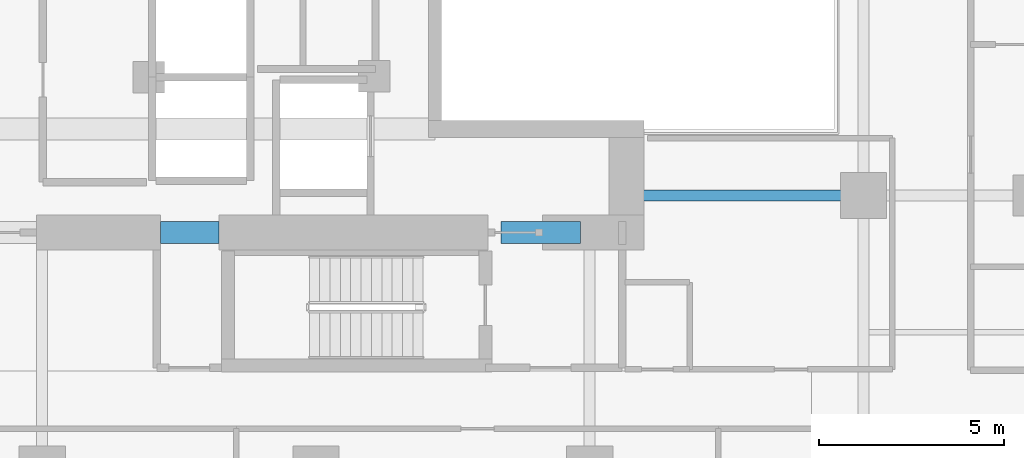
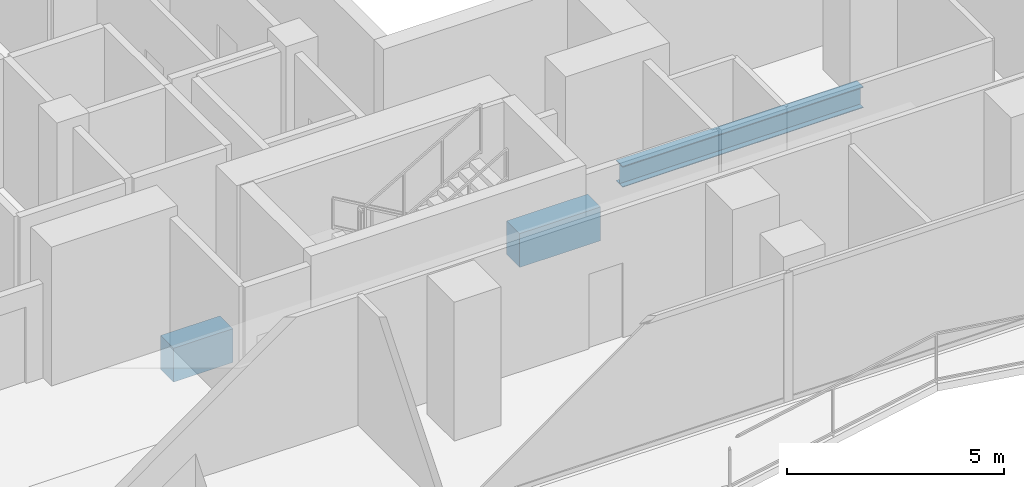
# One storey, part 5 of 27: 3 beams.
"""IFC4 building model written with IfcOpenShell, lengths in metres."""

from ifc_helpers import new_model, si_unit, direction, frame, origin, origin_2d, place, context, subcontext, project, spatial, rectangle, i_section, extrude, material, material_profile, profile_set, type_object, element, save


model = new_model("IFC4")

# Units and contexts
model_context = context("Model", 3, precision=1e-05, world=origin(), true_north=direction((0.0, 1.0)))
body_context = subcontext(model_context, "Body", "Model", "MODEL_VIEW")
ifc_project = project(units=[si_unit("LENGTHUNIT", "METRE"), si_unit("AREAUNIT", "SQUARE_METRE"), si_unit("VOLUMEUNIT", "CUBIC_METRE"), si_unit("PLANEANGLEUNIT", "RADIAN"), si_unit("MASSUNIT", "GRAM", prefix="KILO")], contexts=[model_context])

# Site, building, storey
site_placement = place(None, origin())
site = spatial("IfcSite", under=ifc_project, at=site_placement, CompositionType="ELEMENT")
building_placement = place(site_placement, origin())
building = spatial("IfcBuilding", under=site, at=building_placement, Name="Khorvyn Point Tower", CompositionType="ELEMENT")
storey_placement = place(building_placement, frame((0.0, 0.0, 132.89990234375)))
storey = spatial("IfcBuildingStorey", under=building, at=storey_placement, Name="L33", CompositionType="ELEMENT", Elevation=132.89990234375)

# Beams
ifc_material_1 = material(Name="Concrete C50/60", Category="concrete")
ifc_material_profile_1 = material_profile(ifc_material_1, rectangle(XDim=0.60009765625, YDim=0.949951171875, at=origin_2d()))
ifc_profile_set_1 = profile_set([ifc_material_profile_1], Name="Concrete C50/60 RC600x950")
beam_type_1 = type_object("IfcBeamType", Name="Concrete C50/60 Beam RC600x950", PredefinedType="BEAM", material=ifc_profile_set_1)
beam_1_placement = place(storey_placement, frame((-4.199951171875, -8.39990234375, -0.69482421875), z_axis=(1.0, 0.0, 0.0), x_axis=(0.0, 1.0, 0.0)))
element("IfcBeam", 1, at=beam_1_placement, inside=storey, type_object=beam_type_1, Name="L33 Core Shuttle Portal Coupling Beam", PredefinedType="BEAM", context=body_context, shape_type="SweptSolid", body=[
    extrude(rectangle(XDim=0.60009765625, YDim=0.949951171875, at=origin_2d()), origin(), (0.0, 0.0, 1.0), 1.579833984375),
])
beam_2_placement = place(storey_placement, frame((5.0, -8.39990234375, -0.69482421875), z_axis=(1.0, 0.0, 0.0), x_axis=(0.0, 1.0, 0.0)))
element("IfcBeam", 2, at=beam_2_placement, inside=storey, type_object=beam_type_1, Name="L33 Core Southeast Portal Coupling Beam", PredefinedType="BEAM", context=body_context, shape_type="SweptSolid", body=[
    extrude(rectangle(XDim=0.60009765625, YDim=0.949951171875, at=origin_2d()), origin(), (0.0, 0.0, 1.0), 2.14990234375),
])
ifc_material_2 = material(Name="Steel S355", Category="steel")
ifc_material_profile_2 = material_profile(ifc_material_2, i_section(OverallWidth=0.300048828125, OverallDepth=0.587890625, WebThickness=0.011962890625, FlangeThickness=0.02001953125, at=origin_2d()))
ifc_profile_set_2 = profile_set([ifc_material_profile_2], Name="Steel S355 H588x300x12x20")
beam_type_2 = type_object("IfcBeamType", Name="Steel S355 Beam H588x300x12x20", PredefinedType="BEAM", material=ifc_profile_set_2)
beam_3_placement = place(storey_placement, frame((8.39990234375, -7.39990234375, -0.513916015625), z_axis=(1.0, 0.0, 0.0), x_axis=(0.0, 1.0, 0.0)))
element("IfcBeam", 3, at=beam_3_placement, inside=storey, type_object=beam_type_2, Name="Beam", PredefinedType="BEAM", context=body_context, shape_type="SweptSolid", body=[
    extrude(i_section(OverallWidth=0.300048828125, OverallDepth=0.587890625, WebThickness=0.011962890625, FlangeThickness=0.02001953125, at=origin_2d()), origin(), (0.0, 0.0, 1.0), 6.400146484375),
])

save(model, "model.ifc")
